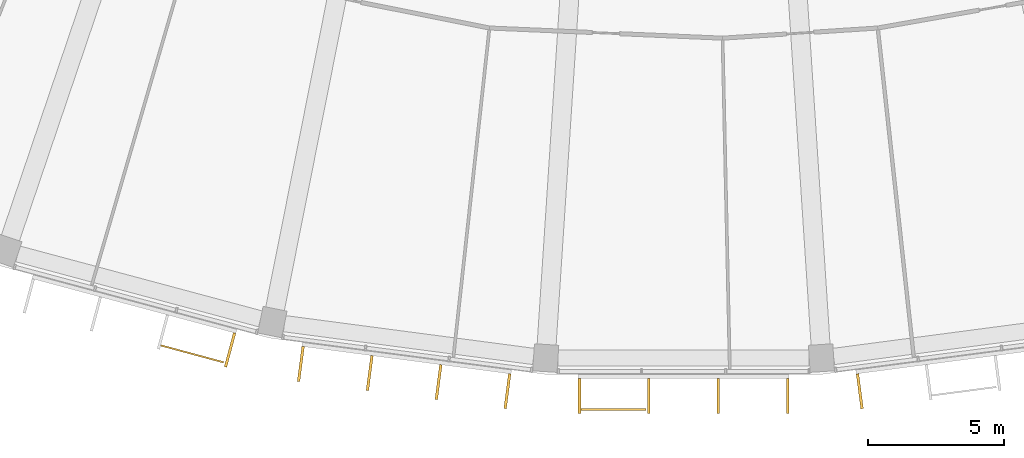
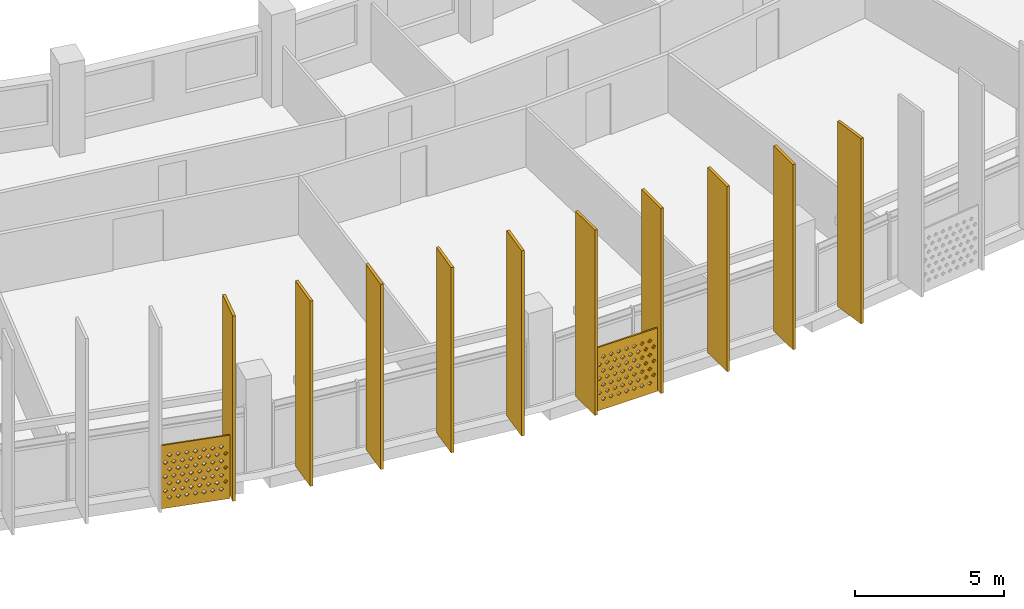
# One storey, part 25 of 28: 12 shading devices.
"""IFC4 building model written with IfcOpenShell, lengths in metres."""

from ifc_helpers import new_model, si_unit, direction, frame, origin, origin_2d, place, context, subcontext, project, spatial, polyline, rectangle, outline, extrude, material, material_profile, profile_set, type_object, element, save


model = new_model("IFC4")

# Units and contexts
model_context = context("Model", 3, precision=1e-05, world=origin(), true_north=direction((0.0, 1.0)))
body_context = subcontext(model_context, "Body", "Model", "MODEL_VIEW")
ifc_project = project(units=[si_unit("LENGTHUNIT", "METRE"), si_unit("AREAUNIT", "SQUARE_METRE"), si_unit("VOLUMEUNIT", "CUBIC_METRE"), si_unit("PLANEANGLEUNIT", "RADIAN"), si_unit("MASSUNIT", "GRAM", prefix="KILO")], contexts=[model_context])

# Site, building, storey
site_placement = place(None, origin())
site = spatial("IfcSite", under=ifc_project, at=site_placement, CompositionType="ELEMENT")
building_placement = place(site_placement, origin())
building = spatial("IfcBuilding", under=site, at=building_placement, Name="Qamariyya Broadcast Tower", CompositionType="ELEMENT")
storey_placement = place(building_placement, frame((0.0, 0.0, 265.699951171875)))
storey = spatial("IfcBuildingStorey", under=building, at=storey_placement, Name="L64", CompositionType="ELEMENT", Elevation=265.699951171875)

# Shading devices
ifc_material_1 = material(Name="Perforated glazed terracotta", Category="masonry")
ifc_material_profile_1 = material_profile(ifc_material_1, outline(polyline([(-1.199951171875, -1.300048828125), (1.199951171875, -1.300048828125), (1.199951171875, 1.300048828125), (-1.199951171875, 1.300048828125), (-1.199951171875, -1.300048828125)]), holes=[polyline([(-0.81494140625, -0.86669921875), (-0.89990234375, -0.78173828125), (-0.985107421875, -0.86669921875), (-0.89990234375, -0.95166015625), (-0.81494140625, -0.86669921875)]), polyline([(-0.514892578125, -0.86669921875), (-0.60009765625, -0.78173828125), (-0.68505859375, -0.86669921875), (-0.60009765625, -0.95166015625), (-0.514892578125, -0.86669921875)]), polyline([(-0.215087890625, -0.86669921875), (-0.300048828125, -0.78173828125), (-0.385009765625, -0.86669921875), (-0.300048828125, -0.95166015625), (-0.215087890625, -0.86669921875)]), polyline([(0.0849609375, -0.86669921875), (0.0, -0.78173828125), (-0.0849609375, -0.86669921875), (0.0, -0.95166015625), (0.0849609375, -0.86669921875)]), polyline([(0.385009765625, -0.86669921875), (0.300048828125, -0.78173828125), (0.215087890625, -0.86669921875), (0.300048828125, -0.95166015625), (0.385009765625, -0.86669921875)]), polyline([(0.68505859375, -0.86669921875), (0.60009765625, -0.78173828125), (0.514892578125, -0.86669921875), (0.60009765625, -0.95166015625), (0.68505859375, -0.86669921875)]), polyline([(0.985107421875, -0.86669921875), (0.89990234375, -0.78173828125), (0.81494140625, -0.86669921875), (0.89990234375, -0.95166015625), (0.985107421875, -0.86669921875)]), polyline([(-0.965087890625, -0.577880859375), (-1.050048828125, -0.49267578125), (-1.135009765625, -0.577880859375), (-1.050048828125, -0.662841796875), (-0.965087890625, -0.577880859375)]), polyline([(-0.6650390625, -0.577880859375), (-0.75, -0.49267578125), (-0.8349609375, -0.577880859375), (-0.75, -0.662841796875), (-0.6650390625, -0.577880859375)]), polyline([(-0.364990234375, -0.577880859375), (-0.449951171875, -0.49267578125), (-0.534912109375, -0.577880859375), (-0.449951171875, -0.662841796875), (-0.364990234375, -0.577880859375)]), polyline([(-0.06494140625, -0.577880859375), (-0.14990234375, -0.49267578125), (-0.235107421875, -0.577880859375), (-0.14990234375, -0.662841796875), (-0.06494140625, -0.577880859375)]), polyline([(0.235107421875, -0.577880859375), (0.14990234375, -0.49267578125), (0.06494140625, -0.577880859375), (0.14990234375, -0.662841796875), (0.235107421875, -0.577880859375)]), polyline([(0.534912109375, -0.577880859375), (0.449951171875, -0.49267578125), (0.364990234375, -0.577880859375), (0.449951171875, -0.662841796875), (0.534912109375, -0.577880859375)]), polyline([(0.8349609375, -0.577880859375), (0.75, -0.49267578125), (0.6650390625, -0.577880859375), (0.75, -0.662841796875), (0.8349609375, -0.577880859375)]), polyline([(1.135009765625, -0.577880859375), (1.050048828125, -0.49267578125), (0.965087890625, -0.577880859375), (1.050048828125, -0.662841796875), (1.135009765625, -0.577880859375)]), polyline([(-0.81494140625, -0.288818359375), (-0.89990234375, -0.203857421875), (-0.985107421875, -0.288818359375), (-0.89990234375, -0.373779296875), (-0.81494140625, -0.288818359375)]), polyline([(-0.514892578125, -0.288818359375), (-0.60009765625, -0.203857421875), (-0.68505859375, -0.288818359375), (-0.60009765625, -0.373779296875), (-0.514892578125, -0.288818359375)]), polyline([(-0.215087890625, -0.288818359375), (-0.300048828125, -0.203857421875), (-0.385009765625, -0.288818359375), (-0.300048828125, -0.373779296875), (-0.215087890625, -0.288818359375)]), polyline([(0.0849609375, -0.288818359375), (0.0, -0.203857421875), (-0.0849609375, -0.288818359375), (0.0, -0.373779296875), (0.0849609375, -0.288818359375)]), polyline([(0.385009765625, -0.288818359375), (0.300048828125, -0.203857421875), (0.215087890625, -0.288818359375), (0.300048828125, -0.373779296875), (0.385009765625, -0.288818359375)]), polyline([(0.68505859375, -0.288818359375), (0.60009765625, -0.203857421875), (0.514892578125, -0.288818359375), (0.60009765625, -0.373779296875), (0.68505859375, -0.288818359375)]), polyline([(0.985107421875, -0.288818359375), (0.89990234375, -0.203857421875), (0.81494140625, -0.288818359375), (0.89990234375, -0.373779296875), (0.985107421875, -0.288818359375)]), polyline([(-0.965087890625, 0.0), (-1.050048828125, 0.0849609375), (-1.135009765625, 0.0), (-1.050048828125, -0.0849609375), (-0.965087890625, 0.0)]), polyline([(-0.6650390625, 0.0), (-0.75, 0.0849609375), (-0.8349609375, 0.0), (-0.75, -0.0849609375), (-0.6650390625, 0.0)]), polyline([(-0.364990234375, 0.0), (-0.449951171875, 0.0849609375), (-0.534912109375, 0.0), (-0.449951171875, -0.0849609375), (-0.364990234375, 0.0)]), polyline([(-0.06494140625, 0.0), (-0.14990234375, 0.0849609375), (-0.235107421875, 0.0), (-0.14990234375, -0.0849609375), (-0.06494140625, 0.0)]), polyline([(0.235107421875, 0.0), (0.14990234375, 0.0849609375), (0.06494140625, 0.0), (0.14990234375, -0.0849609375), (0.235107421875, 0.0)]), polyline([(0.534912109375, 0.0), (0.449951171875, 0.0849609375), (0.364990234375, 0.0), (0.449951171875, -0.0849609375), (0.534912109375, 0.0)]), polyline([(0.8349609375, 0.0), (0.75, 0.0849609375), (0.6650390625, 0.0), (0.75, -0.0849609375), (0.8349609375, 0.0)]), polyline([(1.135009765625, 0.0), (1.050048828125, 0.0849609375), (0.965087890625, 0.0), (1.050048828125, -0.0849609375), (1.135009765625, 0.0)]), polyline([(-0.81494140625, 0.288818359375), (-0.89990234375, 0.373779296875), (-0.985107421875, 0.288818359375), (-0.89990234375, 0.203857421875), (-0.81494140625, 0.288818359375)]), polyline([(-0.514892578125, 0.288818359375), (-0.60009765625, 0.373779296875), (-0.68505859375, 0.288818359375), (-0.60009765625, 0.203857421875), (-0.514892578125, 0.288818359375)]), polyline([(-0.215087890625, 0.288818359375), (-0.300048828125, 0.373779296875), (-0.385009765625, 0.288818359375), (-0.300048828125, 0.203857421875), (-0.215087890625, 0.288818359375)]), polyline([(0.0849609375, 0.288818359375), (0.0, 0.373779296875), (-0.0849609375, 0.288818359375), (0.0, 0.203857421875), (0.0849609375, 0.288818359375)]), polyline([(0.385009765625, 0.288818359375), (0.300048828125, 0.373779296875), (0.215087890625, 0.288818359375), (0.300048828125, 0.203857421875), (0.385009765625, 0.288818359375)]), polyline([(0.68505859375, 0.288818359375), (0.60009765625, 0.373779296875), (0.514892578125, 0.288818359375), (0.60009765625, 0.203857421875), (0.68505859375, 0.288818359375)]), polyline([(0.985107421875, 0.288818359375), (0.89990234375, 0.373779296875), (0.81494140625, 0.288818359375), (0.89990234375, 0.203857421875), (0.985107421875, 0.288818359375)]), polyline([(-0.965087890625, 0.577880859375), (-1.050048828125, 0.662841796875), (-1.135009765625, 0.577880859375), (-1.050048828125, 0.49267578125), (-0.965087890625, 0.577880859375)]), polyline([(-0.6650390625, 0.577880859375), (-0.75, 0.662841796875), (-0.8349609375, 0.577880859375), (-0.75, 0.49267578125), (-0.6650390625, 0.577880859375)]), polyline([(-0.364990234375, 0.577880859375), (-0.449951171875, 0.662841796875), (-0.534912109375, 0.577880859375), (-0.449951171875, 0.49267578125), (-0.364990234375, 0.577880859375)]), polyline([(-0.06494140625, 0.577880859375), (-0.14990234375, 0.662841796875), (-0.235107421875, 0.577880859375), (-0.14990234375, 0.49267578125), (-0.06494140625, 0.577880859375)]), polyline([(0.235107421875, 0.577880859375), (0.14990234375, 0.662841796875), (0.06494140625, 0.577880859375), (0.14990234375, 0.49267578125), (0.235107421875, 0.577880859375)]), polyline([(0.534912109375, 0.577880859375), (0.449951171875, 0.662841796875), (0.364990234375, 0.577880859375), (0.449951171875, 0.49267578125), (0.534912109375, 0.577880859375)]), polyline([(0.8349609375, 0.577880859375), (0.75, 0.662841796875), (0.6650390625, 0.577880859375), (0.75, 0.49267578125), (0.8349609375, 0.577880859375)]), polyline([(1.135009765625, 0.577880859375), (1.050048828125, 0.662841796875), (0.965087890625, 0.577880859375), (1.050048828125, 0.49267578125), (1.135009765625, 0.577880859375)]), polyline([(-0.81494140625, 0.86669921875), (-0.89990234375, 0.95166015625), (-0.985107421875, 0.86669921875), (-0.89990234375, 0.78173828125), (-0.81494140625, 0.86669921875)]), polyline([(-0.514892578125, 0.86669921875), (-0.60009765625, 0.95166015625), (-0.68505859375, 0.86669921875), (-0.60009765625, 0.78173828125), (-0.514892578125, 0.86669921875)]), polyline([(-0.215087890625, 0.86669921875), (-0.300048828125, 0.95166015625), (-0.385009765625, 0.86669921875), (-0.300048828125, 0.78173828125), (-0.215087890625, 0.86669921875)]), polyline([(0.0849609375, 0.86669921875), (0.0, 0.95166015625), (-0.0849609375, 0.86669921875), (0.0, 0.78173828125), (0.0849609375, 0.86669921875)]), polyline([(0.385009765625, 0.86669921875), (0.300048828125, 0.95166015625), (0.215087890625, 0.86669921875), (0.300048828125, 0.78173828125), (0.385009765625, 0.86669921875)]), polyline([(0.68505859375, 0.86669921875), (0.60009765625, 0.95166015625), (0.514892578125, 0.86669921875), (0.60009765625, 0.78173828125), (0.68505859375, 0.86669921875)]), polyline([(0.985107421875, 0.86669921875), (0.89990234375, 0.95166015625), (0.81494140625, 0.86669921875), (0.89990234375, 0.78173828125), (0.985107421875, 0.86669921875)])]))
ifc_profile_set_1 = profile_set([ifc_material_profile_1], Name="Perforated glazed terracotta")
shading_device_type_1 = type_object("IfcShadingDeviceType", Name="Perforated terracotta screen 2400 x 2600", PredefinedType="USERDEFINED", material=ifc_profile_set_1)
shading_device_1_placement = place(storey_placement, frame((-18.118896484375, -77.400146484375, 1.35009765625), z_axis=(-0.260703819255, -0.965418830677, 0.0), x_axis=(0.965418830677, -0.260703819255, 0.0)))
element("IfcShadingDevice", 1, at=shading_device_1_placement, inside=storey, type_object=shading_device_type_1, Name="e-scr-L64-05-2", ObjectType="SCREEN", PredefinedType="USERDEFINED", context=body_context, shape_type="SweptSolid", body=[
    extrude(outline(polyline([(-1.199951171875, -1.300048828125), (1.199951171875, -1.300048828125), (1.199951171875, 1.300048828125), (-1.199951171875, 1.300048828125), (-1.199951171875, -1.300048828125)]), holes=[polyline([(-0.81494140625, -0.86669921875), (-0.89990234375, -0.78173828125), (-0.985107421875, -0.86669921875), (-0.89990234375, -0.95166015625), (-0.81494140625, -0.86669921875)]), polyline([(-0.514892578125, -0.86669921875), (-0.60009765625, -0.78173828125), (-0.68505859375, -0.86669921875), (-0.60009765625, -0.95166015625), (-0.514892578125, -0.86669921875)]), polyline([(-0.215087890625, -0.86669921875), (-0.300048828125, -0.78173828125), (-0.385009765625, -0.86669921875), (-0.300048828125, -0.95166015625), (-0.215087890625, -0.86669921875)]), polyline([(0.0849609375, -0.86669921875), (0.0, -0.78173828125), (-0.0849609375, -0.86669921875), (0.0, -0.95166015625), (0.0849609375, -0.86669921875)]), polyline([(0.385009765625, -0.86669921875), (0.300048828125, -0.78173828125), (0.215087890625, -0.86669921875), (0.300048828125, -0.95166015625), (0.385009765625, -0.86669921875)]), polyline([(0.68505859375, -0.86669921875), (0.60009765625, -0.78173828125), (0.514892578125, -0.86669921875), (0.60009765625, -0.95166015625), (0.68505859375, -0.86669921875)]), polyline([(0.985107421875, -0.86669921875), (0.89990234375, -0.78173828125), (0.81494140625, -0.86669921875), (0.89990234375, -0.95166015625), (0.985107421875, -0.86669921875)]), polyline([(-0.965087890625, -0.577880859375), (-1.050048828125, -0.49267578125), (-1.135009765625, -0.577880859375), (-1.050048828125, -0.662841796875), (-0.965087890625, -0.577880859375)]), polyline([(-0.6650390625, -0.577880859375), (-0.75, -0.49267578125), (-0.8349609375, -0.577880859375), (-0.75, -0.662841796875), (-0.6650390625, -0.577880859375)]), polyline([(-0.364990234375, -0.577880859375), (-0.449951171875, -0.49267578125), (-0.534912109375, -0.577880859375), (-0.449951171875, -0.662841796875), (-0.364990234375, -0.577880859375)]), polyline([(-0.06494140625, -0.577880859375), (-0.14990234375, -0.49267578125), (-0.235107421875, -0.577880859375), (-0.14990234375, -0.662841796875), (-0.06494140625, -0.577880859375)]), polyline([(0.235107421875, -0.577880859375), (0.14990234375, -0.49267578125), (0.06494140625, -0.577880859375), (0.14990234375, -0.662841796875), (0.235107421875, -0.577880859375)]), polyline([(0.534912109375, -0.577880859375), (0.449951171875, -0.49267578125), (0.364990234375, -0.577880859375), (0.449951171875, -0.662841796875), (0.534912109375, -0.577880859375)]), polyline([(0.8349609375, -0.577880859375), (0.75, -0.49267578125), (0.6650390625, -0.577880859375), (0.75, -0.662841796875), (0.8349609375, -0.577880859375)]), polyline([(1.135009765625, -0.577880859375), (1.050048828125, -0.49267578125), (0.965087890625, -0.577880859375), (1.050048828125, -0.662841796875), (1.135009765625, -0.577880859375)]), polyline([(-0.81494140625, -0.288818359375), (-0.89990234375, -0.203857421875), (-0.985107421875, -0.288818359375), (-0.89990234375, -0.373779296875), (-0.81494140625, -0.288818359375)]), polyline([(-0.514892578125, -0.288818359375), (-0.60009765625, -0.203857421875), (-0.68505859375, -0.288818359375), (-0.60009765625, -0.373779296875), (-0.514892578125, -0.288818359375)]), polyline([(-0.215087890625, -0.288818359375), (-0.300048828125, -0.203857421875), (-0.385009765625, -0.288818359375), (-0.300048828125, -0.373779296875), (-0.215087890625, -0.288818359375)]), polyline([(0.0849609375, -0.288818359375), (0.0, -0.203857421875), (-0.0849609375, -0.288818359375), (0.0, -0.373779296875), (0.0849609375, -0.288818359375)]), polyline([(0.385009765625, -0.288818359375), (0.300048828125, -0.203857421875), (0.215087890625, -0.288818359375), (0.300048828125, -0.373779296875), (0.385009765625, -0.288818359375)]), polyline([(0.68505859375, -0.288818359375), (0.60009765625, -0.203857421875), (0.514892578125, -0.288818359375), (0.60009765625, -0.373779296875), (0.68505859375, -0.288818359375)]), polyline([(0.985107421875, -0.288818359375), (0.89990234375, -0.203857421875), (0.81494140625, -0.288818359375), (0.89990234375, -0.373779296875), (0.985107421875, -0.288818359375)]), polyline([(-0.965087890625, 0.0), (-1.050048828125, 0.0849609375), (-1.135009765625, 0.0), (-1.050048828125, -0.0849609375), (-0.965087890625, 0.0)]), polyline([(-0.6650390625, 0.0), (-0.75, 0.0849609375), (-0.8349609375, 0.0), (-0.75, -0.0849609375), (-0.6650390625, 0.0)]), polyline([(-0.364990234375, 0.0), (-0.449951171875, 0.0849609375), (-0.534912109375, 0.0), (-0.449951171875, -0.0849609375), (-0.364990234375, 0.0)]), polyline([(-0.06494140625, 0.0), (-0.14990234375, 0.0849609375), (-0.235107421875, 0.0), (-0.14990234375, -0.0849609375), (-0.06494140625, 0.0)]), polyline([(0.235107421875, 0.0), (0.14990234375, 0.0849609375), (0.06494140625, 0.0), (0.14990234375, -0.0849609375), (0.235107421875, 0.0)]), polyline([(0.534912109375, 0.0), (0.449951171875, 0.0849609375), (0.364990234375, 0.0), (0.449951171875, -0.0849609375), (0.534912109375, 0.0)]), polyline([(0.8349609375, 0.0), (0.75, 0.0849609375), (0.6650390625, 0.0), (0.75, -0.0849609375), (0.8349609375, 0.0)]), polyline([(1.135009765625, 0.0), (1.050048828125, 0.0849609375), (0.965087890625, 0.0), (1.050048828125, -0.0849609375), (1.135009765625, 0.0)]), polyline([(-0.81494140625, 0.288818359375), (-0.89990234375, 0.373779296875), (-0.985107421875, 0.288818359375), (-0.89990234375, 0.203857421875), (-0.81494140625, 0.288818359375)]), polyline([(-0.514892578125, 0.288818359375), (-0.60009765625, 0.373779296875), (-0.68505859375, 0.288818359375), (-0.60009765625, 0.203857421875), (-0.514892578125, 0.288818359375)]), polyline([(-0.215087890625, 0.288818359375), (-0.300048828125, 0.373779296875), (-0.385009765625, 0.288818359375), (-0.300048828125, 0.203857421875), (-0.215087890625, 0.288818359375)]), polyline([(0.0849609375, 0.288818359375), (0.0, 0.373779296875), (-0.0849609375, 0.288818359375), (0.0, 0.203857421875), (0.0849609375, 0.288818359375)]), polyline([(0.385009765625, 0.288818359375), (0.300048828125, 0.373779296875), (0.215087890625, 0.288818359375), (0.300048828125, 0.203857421875), (0.385009765625, 0.288818359375)]), polyline([(0.68505859375, 0.288818359375), (0.60009765625, 0.373779296875), (0.514892578125, 0.288818359375), (0.60009765625, 0.203857421875), (0.68505859375, 0.288818359375)]), polyline([(0.985107421875, 0.288818359375), (0.89990234375, 0.373779296875), (0.81494140625, 0.288818359375), (0.89990234375, 0.203857421875), (0.985107421875, 0.288818359375)]), polyline([(-0.965087890625, 0.577880859375), (-1.050048828125, 0.662841796875), (-1.135009765625, 0.577880859375), (-1.050048828125, 0.49267578125), (-0.965087890625, 0.577880859375)]), polyline([(-0.6650390625, 0.577880859375), (-0.75, 0.662841796875), (-0.8349609375, 0.577880859375), (-0.75, 0.49267578125), (-0.6650390625, 0.577880859375)]), polyline([(-0.364990234375, 0.577880859375), (-0.449951171875, 0.662841796875), (-0.534912109375, 0.577880859375), (-0.449951171875, 0.49267578125), (-0.364990234375, 0.577880859375)]), polyline([(-0.06494140625, 0.577880859375), (-0.14990234375, 0.662841796875), (-0.235107421875, 0.577880859375), (-0.14990234375, 0.49267578125), (-0.06494140625, 0.577880859375)]), polyline([(0.235107421875, 0.577880859375), (0.14990234375, 0.662841796875), (0.06494140625, 0.577880859375), (0.14990234375, 0.49267578125), (0.235107421875, 0.577880859375)]), polyline([(0.534912109375, 0.577880859375), (0.449951171875, 0.662841796875), (0.364990234375, 0.577880859375), (0.449951171875, 0.49267578125), (0.534912109375, 0.577880859375)]), polyline([(0.8349609375, 0.577880859375), (0.75, 0.662841796875), (0.6650390625, 0.577880859375), (0.75, 0.49267578125), (0.8349609375, 0.577880859375)]), polyline([(1.135009765625, 0.577880859375), (1.050048828125, 0.662841796875), (0.965087890625, 0.577880859375), (1.050048828125, 0.49267578125), (1.135009765625, 0.577880859375)]), polyline([(-0.81494140625, 0.86669921875), (-0.89990234375, 0.95166015625), (-0.985107421875, 0.86669921875), (-0.89990234375, 0.78173828125), (-0.81494140625, 0.86669921875)]), polyline([(-0.514892578125, 0.86669921875), (-0.60009765625, 0.95166015625), (-0.68505859375, 0.86669921875), (-0.60009765625, 0.78173828125), (-0.514892578125, 0.86669921875)]), polyline([(-0.215087890625, 0.86669921875), (-0.300048828125, 0.95166015625), (-0.385009765625, 0.86669921875), (-0.300048828125, 0.78173828125), (-0.215087890625, 0.86669921875)]), polyline([(0.0849609375, 0.86669921875), (0.0, 0.95166015625), (-0.0849609375, 0.86669921875), (0.0, 0.78173828125), (0.0849609375, 0.86669921875)]), polyline([(0.385009765625, 0.86669921875), (0.300048828125, 0.95166015625), (0.215087890625, 0.86669921875), (0.300048828125, 0.78173828125), (0.385009765625, 0.86669921875)]), polyline([(0.68505859375, 0.86669921875), (0.60009765625, 0.95166015625), (0.514892578125, 0.86669921875), (0.60009765625, 0.78173828125), (0.68505859375, 0.86669921875)]), polyline([(0.985107421875, 0.86669921875), (0.89990234375, 0.95166015625), (0.81494140625, 0.86669921875), (0.89990234375, 0.78173828125), (0.985107421875, 0.86669921875)])]), origin(), (0.0, 0.0, 1.0), 0.059814453125),
])
shading_device_2_placement = place(storey_placement, frame((-2.59326171875, -79.4521484375, 1.35009765625), z_axis=(0.0, -1.0, 0.0), x_axis=(1.0, 0.0, 0.0)))
element("IfcShadingDevice", 2, at=shading_device_2_placement, inside=storey, type_object=shading_device_type_1, Name="e-scr-L64-07-0", ObjectType="SCREEN", PredefinedType="USERDEFINED", context=body_context, shape_type="SweptSolid", body=[
    extrude(outline(polyline([(-1.199951171875, -1.300048828125), (1.199951171875, -1.300048828125), (1.199951171875, 1.300048828125), (-1.199951171875, 1.300048828125), (-1.199951171875, -1.300048828125)]), holes=[polyline([(-0.81494140625, -0.86669921875), (-0.89990234375, -0.78173828125), (-0.985107421875, -0.86669921875), (-0.89990234375, -0.95166015625), (-0.81494140625, -0.86669921875)]), polyline([(-0.514892578125, -0.86669921875), (-0.60009765625, -0.78173828125), (-0.68505859375, -0.86669921875), (-0.60009765625, -0.95166015625), (-0.514892578125, -0.86669921875)]), polyline([(-0.215087890625, -0.86669921875), (-0.300048828125, -0.78173828125), (-0.385009765625, -0.86669921875), (-0.300048828125, -0.95166015625), (-0.215087890625, -0.86669921875)]), polyline([(0.0849609375, -0.86669921875), (0.0, -0.78173828125), (-0.0849609375, -0.86669921875), (0.0, -0.95166015625), (0.0849609375, -0.86669921875)]), polyline([(0.385009765625, -0.86669921875), (0.300048828125, -0.78173828125), (0.215087890625, -0.86669921875), (0.300048828125, -0.95166015625), (0.385009765625, -0.86669921875)]), polyline([(0.68505859375, -0.86669921875), (0.60009765625, -0.78173828125), (0.514892578125, -0.86669921875), (0.60009765625, -0.95166015625), (0.68505859375, -0.86669921875)]), polyline([(0.985107421875, -0.86669921875), (0.89990234375, -0.78173828125), (0.81494140625, -0.86669921875), (0.89990234375, -0.95166015625), (0.985107421875, -0.86669921875)]), polyline([(-0.965087890625, -0.577880859375), (-1.050048828125, -0.49267578125), (-1.135009765625, -0.577880859375), (-1.050048828125, -0.662841796875), (-0.965087890625, -0.577880859375)]), polyline([(-0.6650390625, -0.577880859375), (-0.75, -0.49267578125), (-0.8349609375, -0.577880859375), (-0.75, -0.662841796875), (-0.6650390625, -0.577880859375)]), polyline([(-0.364990234375, -0.577880859375), (-0.449951171875, -0.49267578125), (-0.534912109375, -0.577880859375), (-0.449951171875, -0.662841796875), (-0.364990234375, -0.577880859375)]), polyline([(-0.06494140625, -0.577880859375), (-0.14990234375, -0.49267578125), (-0.235107421875, -0.577880859375), (-0.14990234375, -0.662841796875), (-0.06494140625, -0.577880859375)]), polyline([(0.235107421875, -0.577880859375), (0.14990234375, -0.49267578125), (0.06494140625, -0.577880859375), (0.14990234375, -0.662841796875), (0.235107421875, -0.577880859375)]), polyline([(0.534912109375, -0.577880859375), (0.449951171875, -0.49267578125), (0.364990234375, -0.577880859375), (0.449951171875, -0.662841796875), (0.534912109375, -0.577880859375)]), polyline([(0.8349609375, -0.577880859375), (0.75, -0.49267578125), (0.6650390625, -0.577880859375), (0.75, -0.662841796875), (0.8349609375, -0.577880859375)]), polyline([(1.135009765625, -0.577880859375), (1.050048828125, -0.49267578125), (0.965087890625, -0.577880859375), (1.050048828125, -0.662841796875), (1.135009765625, -0.577880859375)]), polyline([(-0.81494140625, -0.288818359375), (-0.89990234375, -0.203857421875), (-0.985107421875, -0.288818359375), (-0.89990234375, -0.373779296875), (-0.81494140625, -0.288818359375)]), polyline([(-0.514892578125, -0.288818359375), (-0.60009765625, -0.203857421875), (-0.68505859375, -0.288818359375), (-0.60009765625, -0.373779296875), (-0.514892578125, -0.288818359375)]), polyline([(-0.215087890625, -0.288818359375), (-0.300048828125, -0.203857421875), (-0.385009765625, -0.288818359375), (-0.300048828125, -0.373779296875), (-0.215087890625, -0.288818359375)]), polyline([(0.0849609375, -0.288818359375), (0.0, -0.203857421875), (-0.0849609375, -0.288818359375), (0.0, -0.373779296875), (0.0849609375, -0.288818359375)]), polyline([(0.385009765625, -0.288818359375), (0.300048828125, -0.203857421875), (0.215087890625, -0.288818359375), (0.300048828125, -0.373779296875), (0.385009765625, -0.288818359375)]), polyline([(0.68505859375, -0.288818359375), (0.60009765625, -0.203857421875), (0.514892578125, -0.288818359375), (0.60009765625, -0.373779296875), (0.68505859375, -0.288818359375)]), polyline([(0.985107421875, -0.288818359375), (0.89990234375, -0.203857421875), (0.81494140625, -0.288818359375), (0.89990234375, -0.373779296875), (0.985107421875, -0.288818359375)]), polyline([(-0.965087890625, 0.0), (-1.050048828125, 0.0849609375), (-1.135009765625, 0.0), (-1.050048828125, -0.0849609375), (-0.965087890625, 0.0)]), polyline([(-0.6650390625, 0.0), (-0.75, 0.0849609375), (-0.8349609375, 0.0), (-0.75, -0.0849609375), (-0.6650390625, 0.0)]), polyline([(-0.364990234375, 0.0), (-0.449951171875, 0.0849609375), (-0.534912109375, 0.0), (-0.449951171875, -0.0849609375), (-0.364990234375, 0.0)]), polyline([(-0.06494140625, 0.0), (-0.14990234375, 0.0849609375), (-0.235107421875, 0.0), (-0.14990234375, -0.0849609375), (-0.06494140625, 0.0)]), polyline([(0.235107421875, 0.0), (0.14990234375, 0.0849609375), (0.06494140625, 0.0), (0.14990234375, -0.0849609375), (0.235107421875, 0.0)]), polyline([(0.534912109375, 0.0), (0.449951171875, 0.0849609375), (0.364990234375, 0.0), (0.449951171875, -0.0849609375), (0.534912109375, 0.0)]), polyline([(0.8349609375, 0.0), (0.75, 0.0849609375), (0.6650390625, 0.0), (0.75, -0.0849609375), (0.8349609375, 0.0)]), polyline([(1.135009765625, 0.0), (1.050048828125, 0.0849609375), (0.965087890625, 0.0), (1.050048828125, -0.0849609375), (1.135009765625, 0.0)]), polyline([(-0.81494140625, 0.288818359375), (-0.89990234375, 0.373779296875), (-0.985107421875, 0.288818359375), (-0.89990234375, 0.203857421875), (-0.81494140625, 0.288818359375)]), polyline([(-0.514892578125, 0.288818359375), (-0.60009765625, 0.373779296875), (-0.68505859375, 0.288818359375), (-0.60009765625, 0.203857421875), (-0.514892578125, 0.288818359375)]), polyline([(-0.215087890625, 0.288818359375), (-0.300048828125, 0.373779296875), (-0.385009765625, 0.288818359375), (-0.300048828125, 0.203857421875), (-0.215087890625, 0.288818359375)]), polyline([(0.0849609375, 0.288818359375), (0.0, 0.373779296875), (-0.0849609375, 0.288818359375), (0.0, 0.203857421875), (0.0849609375, 0.288818359375)]), polyline([(0.385009765625, 0.288818359375), (0.300048828125, 0.373779296875), (0.215087890625, 0.288818359375), (0.300048828125, 0.203857421875), (0.385009765625, 0.288818359375)]), polyline([(0.68505859375, 0.288818359375), (0.60009765625, 0.373779296875), (0.514892578125, 0.288818359375), (0.60009765625, 0.203857421875), (0.68505859375, 0.288818359375)]), polyline([(0.985107421875, 0.288818359375), (0.89990234375, 0.373779296875), (0.81494140625, 0.288818359375), (0.89990234375, 0.203857421875), (0.985107421875, 0.288818359375)]), polyline([(-0.965087890625, 0.577880859375), (-1.050048828125, 0.662841796875), (-1.135009765625, 0.577880859375), (-1.050048828125, 0.49267578125), (-0.965087890625, 0.577880859375)]), polyline([(-0.6650390625, 0.577880859375), (-0.75, 0.662841796875), (-0.8349609375, 0.577880859375), (-0.75, 0.49267578125), (-0.6650390625, 0.577880859375)]), polyline([(-0.364990234375, 0.577880859375), (-0.449951171875, 0.662841796875), (-0.534912109375, 0.577880859375), (-0.449951171875, 0.49267578125), (-0.364990234375, 0.577880859375)]), polyline([(-0.06494140625, 0.577880859375), (-0.14990234375, 0.662841796875), (-0.235107421875, 0.577880859375), (-0.14990234375, 0.49267578125), (-0.06494140625, 0.577880859375)]), polyline([(0.235107421875, 0.577880859375), (0.14990234375, 0.662841796875), (0.06494140625, 0.577880859375), (0.14990234375, 0.49267578125), (0.235107421875, 0.577880859375)]), polyline([(0.534912109375, 0.577880859375), (0.449951171875, 0.662841796875), (0.364990234375, 0.577880859375), (0.449951171875, 0.49267578125), (0.534912109375, 0.577880859375)]), polyline([(0.8349609375, 0.577880859375), (0.75, 0.662841796875), (0.6650390625, 0.577880859375), (0.75, 0.49267578125), (0.8349609375, 0.577880859375)]), polyline([(1.135009765625, 0.577880859375), (1.050048828125, 0.662841796875), (0.965087890625, 0.577880859375), (1.050048828125, 0.49267578125), (1.135009765625, 0.577880859375)]), polyline([(-0.81494140625, 0.86669921875), (-0.89990234375, 0.95166015625), (-0.985107421875, 0.86669921875), (-0.89990234375, 0.78173828125), (-0.81494140625, 0.86669921875)]), polyline([(-0.514892578125, 0.86669921875), (-0.60009765625, 0.95166015625), (-0.68505859375, 0.86669921875), (-0.60009765625, 0.78173828125), (-0.514892578125, 0.86669921875)]), polyline([(-0.215087890625, 0.86669921875), (-0.300048828125, 0.95166015625), (-0.385009765625, 0.86669921875), (-0.300048828125, 0.78173828125), (-0.215087890625, 0.86669921875)]), polyline([(0.0849609375, 0.86669921875), (0.0, 0.95166015625), (-0.0849609375, 0.86669921875), (0.0, 0.78173828125), (0.0849609375, 0.86669921875)]), polyline([(0.385009765625, 0.86669921875), (0.300048828125, 0.95166015625), (0.215087890625, 0.86669921875), (0.300048828125, 0.78173828125), (0.385009765625, 0.86669921875)]), polyline([(0.68505859375, 0.86669921875), (0.60009765625, 0.95166015625), (0.514892578125, 0.86669921875), (0.60009765625, 0.78173828125), (0.68505859375, 0.86669921875)]), polyline([(0.985107421875, 0.86669921875), (0.89990234375, 0.95166015625), (0.81494140625, 0.86669921875), (0.89990234375, 0.78173828125), (0.985107421875, 0.86669921875)])]), origin(), (0.0, 0.0, 1.0), 0.06005859375),
])
ifc_material_2 = material(Name="Glazed terracotta", Category="masonry")
ifc_material_profile_2 = material_profile(ifc_material_2, rectangle(XDim=1.300048828125, YDim=0.10009765625, at=origin_2d()))
ifc_profile_set_2 = profile_set([ifc_material_profile_2], Name="Glazed terracotta")
shading_device_type_2 = type_object("IfcShadingDeviceType", Name="Terracotta fin 100 x 1300", PredefinedType="USERDEFINED", material=ifc_profile_set_2)
for number, where, z_axis, x_axis, name in (
    (3, (-16.729736328125, -77.28564453125, 0.0), (0.0, 0.0, 1.0), (-0.258819045103, -0.965925826289, 0.0), "e-fin-L64-05-3"),
    (4, (-14.11962890625, -77.804931640625, 0.0), (0.0, 0.0, 1.0), (-0.13052619222, -0.991444861374, 0.0), "e-fin-L64-06-0"),
    (5, (-11.579345703125, -78.139404296875, 0.0), (0.0, 0.0, 1.0), (-0.13052619222, -0.991444861374, 0.0), "e-fin-L64-06-1"),
    (6, (-9.0390625, -78.473876953125, 0.0), (0.0, 0.0, 1.0), (-0.13052619222, -0.991444861374, 0.0), "e-fin-L64-06-2"),
    (7, (-6.498779296875, -78.80810546875, 0.0), (0.0, 0.0, 1.0), (-0.13052619222, -0.991444861374, 0.0), "e-fin-L64-06-3"),
    (8, (-3.84326171875, -78.982177734375, 0.0), (0.0, 0.0, 1.0), (0.0, -1.0, 0.0), "e-fin-L64-07-0"),
    (9, (-1.281005859375, -78.982177734375, 0.0), (0.0, 0.0, 1.0), (0.0, -1.0, 0.0), "e-fin-L64-07-1"),
    (10, (1.281005859375, -78.982177734375, 0.0), (0.0, 0.0, 1.0), (0.0, -1.0, 0.0), "e-fin-L64-07-2"),
    (11, (3.84326171875, -78.982177734375, 0.0), (0.0, 0.0, 1.0), (0.0, -1.0, 0.0), "e-fin-L64-07-3"),
    (12, (6.498779296875, -78.80810546875, 0.0), (0.0, 0.0, 1.0), (0.13052619222, -0.991444861374, 0.0), "e-fin-L64-08-0"),
):
    element("IfcShadingDevice", number, at=place(storey_placement, frame(where, z_axis=z_axis, x_axis=x_axis)), inside=storey, type_object=shading_device_type_2, Name=name, ObjectType="FIN", PredefinedType="USERDEFINED", context=body_context, shape_type="SweptSolid", body=[
        extrude(rectangle(XDim=1.300048828125, YDim=0.10009765625, at=origin_2d()), origin(), (0.0, 0.0, 1.0), 7.60009765625),
    ])

save(model, "model.ifc")
